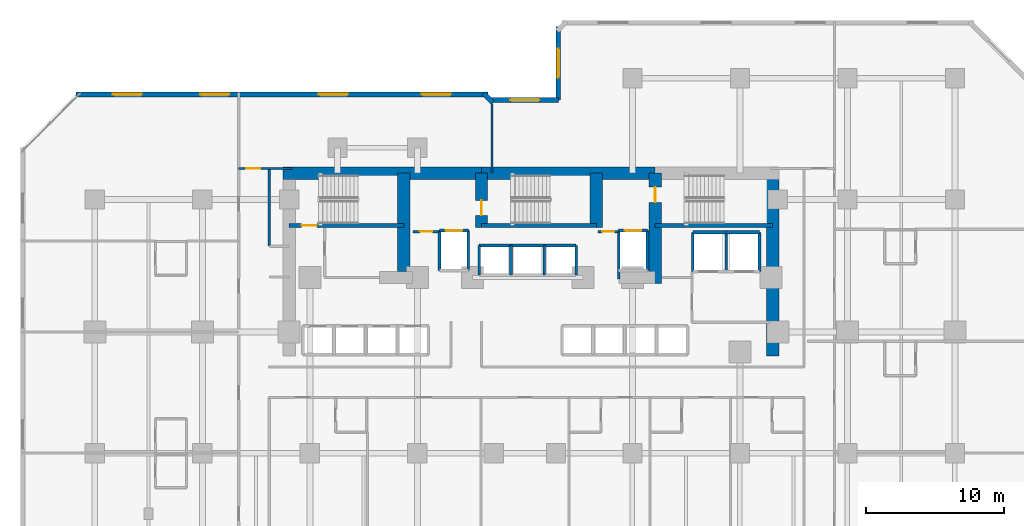
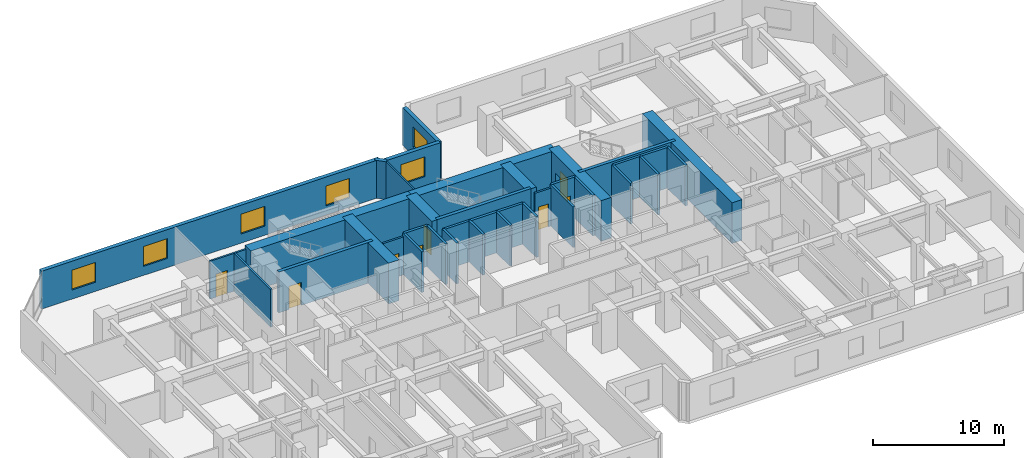
# One storey, part 8 of 12: 37 walls, 8 doors, 6 windows, 14 openings.
"""IFC4 building model written with IfcOpenShell, lengths in metres."""

from ifc_helpers import new_model, si_unit, direction, frame, frame_2d, origin, place, context, subcontext, project, spatial, rectangle, extrude, material, layer, layer_set, type_object, element, fill, save


model = new_model("IFC4")

# Units and contexts
model_context = context("Model", 3, precision=1e-05, world=origin(), true_north=direction((0.0, 1.0)))
body_context = subcontext(model_context, "Body", "Model", "MODEL_VIEW")
ifc_project = project(units=[si_unit("LENGTHUNIT", "METRE"), si_unit("AREAUNIT", "SQUARE_METRE"), si_unit("VOLUMEUNIT", "CUBIC_METRE"), si_unit("PLANEANGLEUNIT", "RADIAN"), si_unit("MASSUNIT", "GRAM", prefix="KILO")], contexts=[model_context])

# Site, building, storey
site_placement = place(None, origin())
site = spatial("IfcSite", under=ifc_project, at=site_placement, CompositionType="ELEMENT")
building_placement = place(site_placement, origin())
building = spatial("IfcBuilding", under=site, at=building_placement, Name="Kestravale Grand Hotel", CompositionType="ELEMENT")
storey_placement = place(building_placement, frame((0.0, 0.0, 60.199951171875)))
storey = spatial("IfcBuildingStorey", under=building, at=storey_placement, Name="L14", CompositionType="ELEMENT", Elevation=60.199951171875)

# Walls
ifc_material_1 = material(Name="Concrete f'c 70 MPa", Category="concrete")
ifc_layer_1 = layer(ifc_material_1, 0.89990234375)
ifc_layer_set_1 = layer_set([ifc_layer_1], Name="EW-CORE-900")
wall_type_1 = type_object("IfcWallType", Name="EW-CORE-900", PredefinedType="SHEAR", material=ifc_layer_set_1)
wall_1_placement = place(storey_placement, frame((21.449951171875, 40.320068359375, 0.0), z_axis=(0.0, 0.0, 1.0), x_axis=(1.0, 0.0, 0.0)))
element("IfcWall", 1, at=wall_1_placement, inside=storey, type_object=wall_type_1, Name="L14 core shear wall N1", PredefinedType="SHEAR", context=body_context, shape_type="SweptSolid", body=[
    extrude(rectangle(XDim=14.400146484375, YDim=0.89990234375, at=frame_2d((7.2001953125, 0.0))), origin(), (0.0, 0.0, 1.0), 3.800048828125),
])
wall_2_placement = place(storey_placement, frame((35.85009765625, 40.320068359375, 0.0), z_axis=(0.0, 0.0, 1.0), x_axis=(1.0, 0.0, 0.0)))
element("IfcWall", 2, at=wall_2_placement, inside=storey, type_object=wall_type_1, Name="L14 core shear wall N2", PredefinedType="SHEAR", context=body_context, shape_type="SweptSolid", body=[
    extrude(rectangle(XDim=12.599853515625, YDim=0.89990234375, at=frame_2d((6.2998046875, 0.0))), origin(), (0.0, 0.0, 1.0), 3.800048828125),
])
wall_3_placement = place(storey_placement, frame((56.969970703125, 27.050048828125, 0.0), z_axis=(0.0, 0.0, 1.0), x_axis=(0.0, 1.0, 0.0)))
element("IfcWall", 3, at=wall_3_placement, inside=storey, type_object=wall_type_1, Name="L14 core shear wall E1", PredefinedType="SHEAR", context=body_context, shape_type="SweptSolid", body=[
    extrude(rectangle(XDim=13.719970703125, YDim=0.89990234375, at=frame_2d((6.85986328125, 0.0))), origin(), (0.0, 0.0, 1.0), 3.800048828125),
])
wall_4_placement = place(storey_placement, frame((30.219970703125, 33.199951171875, 0.0), z_axis=(0.0, 0.0, 1.0), x_axis=(0.0, 1.0, 0.0)))
element("IfcWall", 4, at=wall_4_placement, inside=storey, type_object=wall_type_1, Name="L14 core shear wall X1", PredefinedType="SHEAR", context=body_context, shape_type="SweptSolid", body=[
    extrude(rectangle(XDim=7.1201171875, YDim=0.89990234375, at=frame_2d((3.56005859375, 0.0))), origin(), (0.0, 0.0, 1.0), 3.800048828125),
])

# Wall, opening, door
wall_5_placement = place(storey_placement, frame((35.85009765625, 36.3701171875, 0.0), z_axis=(0.0, 0.0, 1.0), x_axis=(0.0, 1.0, 0.0)))
wall_5 = element("IfcWall", 5, at=wall_5_placement, inside=storey, type_object=wall_type_1, Name="L14 core shear wall X2", PredefinedType="SHEAR", context=body_context, shape_type="SweptSolid", body=[
    extrude(rectangle(XDim=3.949951171875, YDim=0.89990234375, at=frame_2d((1.97509765625, 0.0))), origin(), (0.0, 0.0, 1.0), 3.800048828125),
])
opening_1_placement = place(wall_5_placement, frame((0.8798828125, 0.0, 0.0)))
opening_1 = element("IfcOpeningElement", 6, at=opening_1_placement, cuts=wall_5, Name="Opening D-ST-1100", PredefinedType="OPENING", context=body_context, shape_type="SweptSolid", body=[
    extrude(rectangle(XDim=1.10009765625, YDim=2.14990234375, at=frame_2d((0.550048828125, 1.074951171875))), frame((0.0, 0.4599609375, 0.0), z_axis=(0.0, -1.0, 0.0), x_axis=(1.0, 0.0, 0.0)), (0.0, 0.0, 1.0), 0.919921875),
])
ifc_material_2 = material(Name="Galvanised 90-minute fire-rated steel stair door", Category="steel")
door_type_1 = type_object("IfcDoorType", Name="D-ST-1100", OperationType="NOTDEFINED", PredefinedType="DOOR", material=ifc_material_2)
door_1_placement = place(opening_1_placement, origin())
door_1 = element("IfcDoor", 7, at=door_1_placement, inside=storey, type_object=door_type_1, Name="L14 Stair ST-2 FSAE fire door", OperationType="SINGLE_SWING_RIGHT", OverallHeight=2.14990234375, OverallWidth=1.10009765625, PredefinedType="DOOR", context=body_context, shape_type="SweptSolid", body=[
    extrude(rectangle(XDim=1.10009765625, YDim=2.14990234375, at=frame_2d((0.550048828125, 1.074951171875))), frame((0.0, 0.02490234375, 0.0), z_axis=(0.0, -1.0, 0.0), x_axis=(1.0, 0.0, 0.0)), (0.0, 0.0, 1.0), 0.050048828125),
])
fill(opening_1, door_1)

# Wall
wall_6_placement = place(storey_placement, frame((44.179931640625, 36.3701171875, 0.0), z_axis=(0.0, 0.0, 1.0), x_axis=(0.0, 1.0, 0.0)))
element("IfcWall", 8, at=wall_6_placement, inside=storey, type_object=wall_type_1, Name="L14 core shear wall X3", PredefinedType="SHEAR", context=body_context, shape_type="SweptSolid", body=[
    extrude(rectangle(XDim=3.949951171875, YDim=0.89990234375, at=frame_2d((1.97509765625, 0.0))), origin(), (0.0, 0.0, 1.0), 3.800048828125),
])

# Wall, opening, door
wall_7_placement = place(storey_placement, frame((48.449951171875, 32.300048828125, 0.0), z_axis=(0.0, 0.0, 1.0), x_axis=(0.0, 1.0, 0.0)))
wall_7 = element("IfcWall", 9, at=wall_7_placement, inside=storey, type_object=wall_type_1, Name="L14 core shear wall X4", PredefinedType="SHEAR", context=body_context, shape_type="SweptSolid", body=[
    extrude(rectangle(XDim=8.02001953125, YDim=0.89990234375, at=frame_2d((4.010009765625, 0.0))), origin(), (0.0, 0.0, 1.0), 3.800048828125),
])
opening_2_placement = place(wall_7_placement, frame((5.89990234375, 0.0, 0.0)))
opening_2 = element("IfcOpeningElement", 10, at=opening_2_placement, cuts=wall_7, Name="Opening D-ST-1100", PredefinedType="OPENING", context=body_context, shape_type="SweptSolid", body=[
    extrude(rectangle(XDim=1.10009765625, YDim=2.14990234375, at=frame_2d((0.550048828125, 1.074951171875))), frame((0.0, 0.4599609375, 0.0), z_axis=(0.0, -1.0, 0.0), x_axis=(1.0, 0.0, 0.0)), (0.0, 0.0, 1.0), 0.919921875),
])
door_2_placement = place(opening_2_placement, origin())
door_2 = element("IfcDoor", 11, at=door_2_placement, inside=storey, type_object=door_type_1, Name="L14 Stair ST-3 FSAE fire door", OperationType="SINGLE_SWING_RIGHT", OverallHeight=2.14990234375, OverallWidth=1.10009765625, PredefinedType="DOOR", context=body_context, shape_type="SweptSolid", body=[
    extrude(rectangle(XDim=1.10009765625, YDim=2.14990234375, at=frame_2d((0.550048828125, 1.074951171875))), frame((0.0, 0.02490234375, 0.0), z_axis=(0.0, -1.0, 0.0), x_axis=(1.0, 0.0, 0.0)), (0.0, 0.0, 1.0), 0.050048828125),
])
fill(opening_2, door_2)

# Wall, opening, window
ifc_material_3 = material(Name="Precast concrete f'c 45 MPa", Category="concrete")
ifc_layer_2 = layer(ifc_material_3, 0.340087890625)
ifc_layer_set_2 = layer_set([ifc_layer_2], Name="EW-PREC-340")
wall_type_2 = type_object("IfcWallType", Name="EW-PREC-340", PredefinedType="SOLIDWALL", material=ifc_layer_set_2)
wall_8_placement = place(storey_placement, frame((41.419921875, 50.969970703125, 0.0), z_axis=(0.0, 0.0, 1.0), x_axis=(0.0, -1.0, 0.0)))
wall_8 = element("IfcWall", 12, at=wall_8_placement, inside=storey, type_object=wall_type_2, Name="L14 fluted precast facade wall 13", PredefinedType="SOLIDWALL", context=body_context, shape_type="SweptSolid", body=[
    extrude(rectangle(XDim=5.340087890625, YDim=0.340087890625, at=frame_2d((2.669921875, 0.0))), origin(), (0.0, 0.0, 1.0), 3.5400390625),
])
opening_3_placement = place(wall_8_placement, frame((1.6201171875, 0.0, 0.85009765625)))
opening_3 = element("IfcOpeningElement", 13, at=opening_3_placement, cuts=wall_8, Name="Opening W-GUEST-2100", PredefinedType="OPENING", context=body_context, shape_type="SweptSolid", body=[
    extrude(rectangle(XDim=2.10009765625, YDim=1.85009765625, at=frame_2d((1.050048828125, 0.925048828125))), frame((0.0, 0.179931640625, 0.0), z_axis=(0.0, -1.0, 0.0), x_axis=(1.0, 0.0, 0.0)), (0.0, 0.0, 1.0), 0.360107421875),
])
ifc_material_4 = material(Name="Insulated low-E double glazing in aluminium frame", Category="aluminium")
window_type = type_object("IfcWindowType", Name="W-GUEST-2100", PartitioningType="DOUBLE_PANEL_VERTICAL", PredefinedType="WINDOW", material=ifc_material_4)
window_1_placement = place(opening_3_placement, origin())
window_1 = element("IfcWindow", 14, at=window_1_placement, inside=storey, type_object=window_type, Name="L14 exterior window 13.1", OverallHeight=1.85009765625, OverallWidth=2.10009765625, PartitioningType="SINGLE_PANEL", PredefinedType="WINDOW", context=body_context, shape_type="SweptSolid", body=[
    extrude(rectangle(XDim=2.10009765625, YDim=1.85009765625, at=frame_2d((1.050048828125, 0.925048828125))), frame((0.0, 0.030029296875, 0.0), z_axis=(0.0, -1.0, 0.0), x_axis=(1.0, 0.0, 0.0)), (0.0, 0.0, 1.0), 0.06005859375),
])
fill(opening_3, window_1)

wall_9_placement = place(storey_placement, frame((41.419921875, 45.6298828125, 0.0), z_axis=(0.0, 0.0, 1.0), x_axis=(-1.0, 0.0, 0.0)))
wall_9 = element("IfcWall", 15, at=wall_9_placement, inside=storey, type_object=wall_type_2, Name="L14 fluted precast facade wall 14", PredefinedType="SOLIDWALL", context=body_context, shape_type="SweptSolid", body=[
    extrude(rectangle(XDim=4.83984375, YDim=0.340087890625, at=frame_2d((2.419921875, 0.0))), origin(), (0.0, 0.0, 1.0), 3.5400390625),
])
opening_4_placement = place(wall_9_placement, frame((1.3701171875, 0.0, 0.85009765625)))
opening_4 = element("IfcOpeningElement", 16, at=opening_4_placement, cuts=wall_9, Name="Opening W-GUEST-2100", PredefinedType="OPENING", context=body_context, shape_type="SweptSolid", body=[
    extrude(rectangle(XDim=2.10009765625, YDim=1.85009765625, at=frame_2d((1.050048828125, 0.925048828125))), frame((0.0, 0.179931640625, 0.0), z_axis=(0.0, -1.0, 0.0), x_axis=(1.0, 0.0, 0.0)), (0.0, 0.0, 1.0), 0.360107421875),
])
window_2_placement = place(opening_4_placement, origin())
window_2 = element("IfcWindow", 17, at=window_2_placement, inside=storey, type_object=window_type, Name="L14 exterior window 14.1", OverallHeight=1.85009765625, OverallWidth=2.10009765625, PartitioningType="SINGLE_PANEL", PredefinedType="WINDOW", context=body_context, shape_type="SweptSolid", body=[
    extrude(rectangle(XDim=2.10009765625, YDim=1.85009765625, at=frame_2d((1.050048828125, 0.925048828125))), frame((0.0, 0.030029296875, 0.0), z_axis=(0.0, -1.0, 0.0), x_axis=(1.0, 0.0, 0.0)), (0.0, 0.0, 1.0), 0.06005859375),
])
fill(opening_4, window_2)

# Wall
wall_10_placement = place(storey_placement, frame((36.658203125, 45.451416015625, 0.0), z_axis=(0.0, 0.0, 1.0), x_axis=(-0.707106781187, 0.707106781187, 0.0)))
element("IfcWall", 18, at=wall_10_placement, inside=storey, type_object=wall_type_2, Name="L14 fluted precast facade wall 16", PredefinedType="SOLIDWALL", context=body_context, shape_type="SweptSolid", body=[
    extrude(rectangle(XDim=0.9287109375, YDim=0.340087890625, at=frame_2d((0.46435546875, 0.0))), origin(), (0.0, 0.0, 1.0), 3.5400390625),
])

# Wall, openings, windows
wall_11_placement = place(storey_placement, frame((36.320068359375, 46.030029296875, 0.0), z_axis=(0.0, 0.0, 1.0), x_axis=(-1.0, 0.0, 0.0)))
wall_11 = element("IfcWall", 19, at=wall_11_placement, inside=storey, type_object=wall_type_2, Name="L14 fluted precast facade wall 17", PredefinedType="SOLIDWALL", context=body_context, shape_type="SweptSolid", body=[
    extrude(rectangle(XDim=29.89013671875, YDim=0.340087890625, at=frame_2d((14.945068359375, 0.0))), origin(), (0.0, 0.0, 1.0), 3.5400390625),
])
opening_5_placement = place(wall_11_placement, frame((2.686279296875, 0.0, 0.85009765625)))
opening_5 = element("IfcOpeningElement", 20, at=opening_5_placement, cuts=wall_11, Name="Opening W-GUEST-2100", PredefinedType="OPENING", context=body_context, shape_type="SweptSolid", body=[
    extrude(rectangle(XDim=2.10009765625, YDim=1.85009765625, at=frame_2d((1.050048828125, 0.925048828125))), frame((0.0, 0.179931640625, 0.0), z_axis=(0.0, -1.0, 0.0), x_axis=(1.0, 0.0, 0.0)), (0.0, 0.0, 1.0), 0.360107421875),
])
opening_6_placement = place(wall_11_placement, frame((10.15869140625, 0.0, 0.85009765625)))
opening_6 = element("IfcOpeningElement", 21, at=opening_6_placement, cuts=wall_11, Name="Opening W-GUEST-2100", PredefinedType="OPENING", context=body_context, shape_type="SweptSolid", body=[
    extrude(rectangle(XDim=2.10009765625, YDim=1.85009765625, at=frame_2d((1.050048828125, 0.925048828125))), frame((0.0, 0.179931640625, 0.0), z_axis=(0.0, -1.0, 0.0), x_axis=(1.0, 0.0, 0.0)), (0.0, 0.0, 1.0), 0.360107421875),
])
opening_7_placement = place(wall_11_placement, frame((18.78125, 0.0, 0.85009765625)))
opening_7 = element("IfcOpeningElement", 22, at=opening_7_placement, cuts=wall_11, Name="Opening W-GUEST-2100", PredefinedType="OPENING", context=body_context, shape_type="SweptSolid", body=[
    extrude(rectangle(XDim=2.10009765625, YDim=1.85009765625, at=frame_2d((1.050048828125, 0.925048828125))), frame((0.0, 0.179931640625, 0.0), z_axis=(0.0, -1.0, 0.0), x_axis=(1.0, 0.0, 0.0)), (0.0, 0.0, 1.0), 0.360107421875),
])
opening_8_placement = place(wall_11_placement, frame((25.103759765625, 0.0, 0.85009765625)))
opening_8 = element("IfcOpeningElement", 23, at=opening_8_placement, cuts=wall_11, Name="Opening W-GUEST-2100", PredefinedType="OPENING", context=body_context, shape_type="SweptSolid", body=[
    extrude(rectangle(XDim=2.10009765625, YDim=1.85009765625, at=frame_2d((1.050048828125, 0.925048828125))), frame((0.0, 0.179931640625, 0.0), z_axis=(0.0, -1.0, 0.0), x_axis=(1.0, 0.0, 0.0)), (0.0, 0.0, 1.0), 0.360107421875),
])
window_3_placement = place(opening_5_placement, origin())
window_3 = element("IfcWindow", 24, at=window_3_placement, inside=storey, type_object=window_type, Name="L14 exterior window 17.1", OverallHeight=1.85009765625, OverallWidth=2.10009765625, PartitioningType="SINGLE_PANEL", PredefinedType="WINDOW", context=body_context, shape_type="SweptSolid", body=[
    extrude(rectangle(XDim=2.10009765625, YDim=1.85009765625, at=frame_2d((1.050048828125, 0.925048828125))), frame((0.0, 0.030029296875, 0.0), z_axis=(0.0, -1.0, 0.0), x_axis=(1.0, 0.0, 0.0)), (0.0, 0.0, 1.0), 0.06005859375),
])
fill(opening_5, window_3)
window_4_placement = place(opening_6_placement, origin())
window_4 = element("IfcWindow", 25, at=window_4_placement, inside=storey, type_object=window_type, Name="L14 exterior window 17.2", OverallHeight=1.85009765625, OverallWidth=2.10009765625, PartitioningType="SINGLE_PANEL", PredefinedType="WINDOW", context=body_context, shape_type="SweptSolid", body=[
    extrude(rectangle(XDim=2.10009765625, YDim=1.85009765625, at=frame_2d((1.050048828125, 0.925048828125))), frame((0.0, 0.030029296875, 0.0), z_axis=(0.0, -1.0, 0.0), x_axis=(1.0, 0.0, 0.0)), (0.0, 0.0, 1.0), 0.06005859375),
])
fill(opening_6, window_4)
window_5_placement = place(opening_7_placement, origin())
window_5 = element("IfcWindow", 26, at=window_5_placement, inside=storey, type_object=window_type, Name="L14 exterior window 17.3", OverallHeight=1.85009765625, OverallWidth=2.10009765625, PartitioningType="SINGLE_PANEL", PredefinedType="WINDOW", context=body_context, shape_type="SweptSolid", body=[
    extrude(rectangle(XDim=2.10009765625, YDim=1.85009765625, at=frame_2d((1.050048828125, 0.925048828125))), frame((0.0, 0.030029296875, 0.0), z_axis=(0.0, -1.0, 0.0), x_axis=(1.0, 0.0, 0.0)), (0.0, 0.0, 1.0), 0.06005859375),
])
fill(opening_7, window_5)
window_6_placement = place(opening_8_placement, origin())
window_6 = element("IfcWindow", 27, at=window_6_placement, inside=storey, type_object=window_type, Name="L14 exterior window 17.4", OverallHeight=1.85009765625, OverallWidth=2.10009765625, PartitioningType="SINGLE_PANEL", PredefinedType="WINDOW", context=body_context, shape_type="SweptSolid", body=[
    extrude(rectangle(XDim=2.10009765625, YDim=1.85009765625, at=frame_2d((1.050048828125, 0.925048828125))), frame((0.0, 0.030029296875, 0.0), z_axis=(0.0, -1.0, 0.0), x_axis=(1.0, 0.0, 0.0)), (0.0, 0.0, 1.0), 0.06005859375),
])
fill(opening_8, window_6)

# Wall, opening, door
ifc_material_5 = material(Name="Concrete f'c 45 MPa", Category="concrete")
ifc_layer_3 = layer(ifc_material_5, 0.300048828125)
ifc_layer_set_3 = layer_set([ifc_layer_3], Name="EW-STAIR-300")
wall_type_3 = type_object("IfcWallType", Name="EW-STAIR-300", PredefinedType="SHEAR", material=ifc_layer_set_3)
wall_12_placement = place(storey_placement, frame((21.89990234375, 36.52001953125, 0.0), z_axis=(0.0, 0.0, 1.0), x_axis=(1.0, 0.0, 0.0)))
wall_12 = element("IfcWall", 28, at=wall_12_placement, inside=storey, type_object=wall_type_3, Name="L14 stair enclosure shear wall SST1", PredefinedType="SHEAR", context=body_context, shape_type="SweptSolid", body=[
    extrude(rectangle(XDim=8.320068359375, YDim=0.300048828125, at=frame_2d((4.16015625, 0.0))), origin(), (0.0, 0.0, 1.0), 3.800048828125),
])
opening_9_placement = place(wall_12_placement, frame((0.89990234375, 0.0, 0.0)))
opening_9 = element("IfcOpeningElement", 29, at=opening_9_placement, cuts=wall_12, Name="Opening D-ST-1100", PredefinedType="OPENING", context=body_context, shape_type="SweptSolid", body=[
    extrude(rectangle(XDim=1.10009765625, YDim=2.14990234375, at=frame_2d((0.550048828125, 1.074951171875))), frame((0.0, 0.159912109375, 0.0), z_axis=(0.0, -1.0, 0.0), x_axis=(1.0, 0.0, 0.0)), (0.0, 0.0, 1.0), 0.320068359375),
])
door_3_placement = place(opening_9_placement, origin())
door_3 = element("IfcDoor", 30, at=door_3_placement, inside=storey, type_object=door_type_1, Name="L14 Stair ST-1 fire door", OperationType="SINGLE_SWING_RIGHT", OverallHeight=2.14990234375, OverallWidth=1.10009765625, PredefinedType="DOOR", context=body_context, shape_type="SweptSolid", body=[
    extrude(rectangle(XDim=1.10009765625, YDim=2.14990234375, at=frame_2d((0.550048828125, 1.074951171875))), frame((0.0, 0.02490234375, 0.0), z_axis=(0.0, -1.0, 0.0), x_axis=(1.0, 0.0, 0.0)), (0.0, 0.0, 1.0), 0.050048828125),
])
fill(opening_9, door_3)

# Walls
wall_13_placement = place(storey_placement, frame((35.85009765625, 36.52001953125, 0.0), z_axis=(0.0, 0.0, 1.0), x_axis=(1.0, 0.0, 0.0)))
element("IfcWall", 31, at=wall_13_placement, inside=storey, type_object=wall_type_3, Name="L14 stair enclosure shear wall SST2", PredefinedType="SHEAR", context=body_context, shape_type="SweptSolid", body=[
    extrude(rectangle(XDim=8.329833984375, YDim=0.300048828125, at=frame_2d((4.1650390625, 0.0))), origin(), (0.0, 0.0, 1.0), 3.800048828125),
])
wall_14_placement = place(storey_placement, frame((48.449951171875, 36.52001953125, 0.0), z_axis=(0.0, 0.0, 1.0), x_axis=(1.0, 0.0, 0.0)))
element("IfcWall", 32, at=wall_14_placement, inside=storey, type_object=wall_type_3, Name="L14 stair enclosure shear wall SST3", PredefinedType="SHEAR", context=body_context, shape_type="SweptSolid", body=[
    extrude(rectangle(XDim=8.52001953125, YDim=0.300048828125, at=frame_2d((4.260009765625, 0.0))), origin(), (0.0, 0.0, 1.0), 3.800048828125),
])
ifc_material_6 = material(Name="Acoustic fire-rated gypsum board partition", Category="other")
ifc_layer_4 = layer(ifc_material_6, 0.159912109375)
ifc_layer_set_4 = layer_set([ifc_layer_4], Name="IW-CORR-160")
wall_type_4 = type_object("IfcWallType", Name="IW-CORR-160", PredefinedType="PARTITIONING", material=ifc_layer_set_4)
wall_15_placement = place(storey_placement, frame((20.4599609375, 35.02001953125, 0.0), z_axis=(0.0, 0.0, 1.0), x_axis=(0.0, 1.0, 0.0)))
element("IfcWall", 33, at=wall_15_placement, inside=storey, type_object=wall_type_4, Name="W-L14-SW-EN", PredefinedType="PARTITIONING", context=body_context, shape_type="SweptSolid", body=[
    extrude(rectangle(XDim=5.6298828125, YDim=0.159912109375, at=frame_2d((2.81494140625, 0.0))), origin(), (0.0, 0.0, 1.0), 3.5400390625),
])

# Wall, opening, door
ifc_material_7 = material(Name="Fire-rated gypsum board on steel studs with mineral wool", Category="steel")
ifc_layer_5 = layer(ifc_material_7, 0.179931640625)
ifc_layer_set_5 = layer_set([ifc_layer_5], Name="IW-FSAE-180")
wall_type_5 = type_object("IfcWallType", Name="IW-FSAE-180", PredefinedType="PARTITIONING", material=ifc_layer_set_5)
wall_16_placement = place(storey_placement, frame((30.89990234375, 36.080078125, 0.0), z_axis=(0.0, 0.0, 1.0), x_axis=(1.0, 0.0, 0.0)))
wall_16 = element("IfcWall", 34, at=wall_16_placement, inside=storey, type_object=wall_type_5, Name="L14 FSAE Lobby 1 smoke barrier", PredefinedType="PARTITIONING", context=body_context, shape_type="SweptSolid", body=[
    extrude(rectangle(XDim=1.85009765625, YDim=0.179931640625, at=frame_2d((0.925048828125, 0.0))), origin(), (0.0, 0.0, 1.0), 3.5400390625),
])
opening_10_placement = place(wall_16_placement, frame((0.47998046875, 0.0, 0.0)))
opening_10 = element("IfcOpeningElement", 35, at=opening_10_placement, cuts=wall_16, Name="Opening D-FSAE-1000", PredefinedType="OPENING", context=body_context, shape_type="SweptSolid", body=[
    extrude(rectangle(XDim=0.89990234375, YDim=2.14990234375, at=frame_2d((0.449951171875, 1.074951171875))), frame((0.0, 0.099853515625, 0.0), z_axis=(0.0, -1.0, 0.0), x_axis=(1.0, 0.0, 0.0)), (0.0, 0.0, 1.0), 0.199951171875),
])
ifc_material_8 = material(Name="Smoke-gasketed FSAE lobby fire door", Category="steel")
door_type_2 = type_object("IfcDoorType", Name="D-FSAE-1000", OperationType="NOTDEFINED", PredefinedType="DOOR", material=ifc_material_8)
door_4_placement = place(opening_10_placement, origin())
door_4 = element("IfcDoor", 36, at=door_4_placement, inside=storey, type_object=door_type_2, Name="L14 FSAE Lobby 1 fire door", OperationType="SINGLE_SWING_RIGHT", OverallHeight=2.14990234375, OverallWidth=0.89990234375, PredefinedType="DOOR", context=body_context, shape_type="SweptSolid", body=[
    extrude(rectangle(XDim=0.89990234375, YDim=2.14990234375, at=frame_2d((0.449951171875, 1.074951171875))), frame((0.0, 0.02490234375, 0.0), z_axis=(0.0, -1.0, 0.0), x_axis=(1.0, 0.0, 0.0)), (0.0, 0.0, 1.0), 0.050048828125),
])
fill(opening_10, door_4)

wall_17_placement = place(storey_placement, frame((44.300048828125, 36.080078125, 0.0), z_axis=(0.0, 0.0, 1.0), x_axis=(1.0, 0.0, 0.0)))
wall_17 = element("IfcWall", 37, at=wall_17_placement, inside=storey, type_object=wall_type_5, Name="L14 FSAE Lobby 2 smoke barrier", PredefinedType="PARTITIONING", context=body_context, shape_type="SweptSolid", body=[
    extrude(rectangle(XDim=1.5, YDim=0.179931640625, at=frame_2d((0.75, 0.0))), origin(), (0.0, 0.0, 1.0), 3.5400390625),
])
opening_11_placement = place(wall_17_placement, frame((0.300048828125, 0.0, 0.0)))
opening_11 = element("IfcOpeningElement", 38, at=opening_11_placement, cuts=wall_17, Name="Opening D-FSAE-1000", PredefinedType="OPENING", context=body_context, shape_type="SweptSolid", body=[
    extrude(rectangle(XDim=0.89990234375, YDim=2.14990234375, at=frame_2d((0.449951171875, 1.074951171875))), frame((0.0, 0.099853515625, 0.0), z_axis=(0.0, -1.0, 0.0), x_axis=(1.0, 0.0, 0.0)), (0.0, 0.0, 1.0), 0.199951171875),
])
door_5_placement = place(opening_11_placement, origin())
door_5 = element("IfcDoor", 39, at=door_5_placement, inside=storey, type_object=door_type_2, Name="L14 FSAE Lobby 2 fire door", OperationType="SINGLE_SWING_LEFT", OverallHeight=2.14990234375, OverallWidth=0.89990234375, PredefinedType="DOOR", context=body_context, shape_type="SweptSolid", body=[
    extrude(rectangle(XDim=0.89990234375, YDim=2.14990234375, at=frame_2d((0.449951171875, 1.074951171875))), frame((0.0, 0.02490234375, 0.0), z_axis=(0.0, -1.0, 0.0), x_axis=(1.0, 0.0, 0.0)), (0.0, 0.0, 1.0), 0.050048828125),
])
fill(opening_11, door_5)

# Walls
ifc_material_9 = material(Name="Concrete f'c 45 MPa", Category="concrete")
ifc_layer_6 = layer(ifc_material_9, 0.199951171875)
ifc_layer_set_6 = layer_set([ifc_layer_6], Name="IW-SHAFT-200")
wall_type_6 = type_object("IfcWallType", Name="IW-SHAFT-200", PredefinedType="SHEAR", material=ifc_layer_set_6)
for number, where, z_axis, x_axis, name in (
    (40, (35.679931640625, 32.919921875, 0.0), (0.0, 0.0, 1.0), (0.0, 1.0, 0.0), "L14 PL-X1 west shaft wall"),
    (41, (38.0, 32.919921875, 0.0), (0.0, 0.0, 1.0), (0.0, 1.0, 0.0), "L14 PL-X2 west shaft wall"),
    (42, (40.39990234375, 32.919921875, 0.0), (0.0, 0.0, 1.0), (0.0, 1.0, 0.0), "L14 PL-X3 west shaft wall"),
    (43, (42.719970703125, 32.919921875, 0.0), (0.0, 0.0, 1.0), (0.0, 1.0, 0.0), "L14 PL-X3 east shaft wall"),
):
    element("IfcWall", number, at=place(storey_placement, frame(where, z_axis=z_axis, x_axis=x_axis)), inside=storey, type_object=wall_type_6, Name=name, PredefinedType="SHEAR", context=body_context, shape_type="SweptSolid", body=[
        extrude(rectangle(XDim=2.16015625, YDim=0.199951171875, at=frame_2d((1.080078125, 0.0))), origin(), (0.0, 0.0, 1.0), 3.800048828125),
    ])
for number, where, z_axis, x_axis, name in (
    (44, (51.179931640625, 33.169921875, 0.0), (0.0, 0.0, 1.0), (0.0, 1.0, 0.0), "L14 SL-1 west shaft wall"),
    (45, (53.60009765625, 33.169921875, 0.0), (0.0, 0.0, 1.0), (0.0, 1.0, 0.0), "L14 SL-2 west shaft wall"),
    (46, (56.02001953125, 33.169921875, 0.0), (0.0, 0.0, 1.0), (0.0, 1.0, 0.0), "L14 SL-2 east shaft wall"),
):
    element("IfcWall", number, at=place(storey_placement, frame(where, z_axis=z_axis, x_axis=x_axis)), inside=storey, type_object=wall_type_6, Name=name, PredefinedType="SHEAR", context=body_context, shape_type="SweptSolid", body=[
        extrude(rectangle(XDim=2.860107421875, YDim=0.199951171875, at=frame_2d((1.43017578125, 0.0))), origin(), (0.0, 0.0, 1.0), 3.800048828125),
    ])
for number, where, z_axis, x_axis, name in (
    (47, (32.804931640625, 33.2451171875, 0.0), (0.0, 0.0, 1.0), (0.0, 1.0, 0.0), "L14 FL-1 west shaft wall"),
    (48, (34.89501953125, 33.2451171875, 0.0), (0.0, 0.0, 1.0), (0.0, 1.0, 0.0), "L14 FL-1 east shaft wall"),
):
    element("IfcWall", number, at=place(storey_placement, frame(where, z_axis=z_axis, x_axis=x_axis)), inside=storey, type_object=wall_type_6, Name=name, PredefinedType="SHEAR", context=body_context, shape_type="SweptSolid", body=[
        extrude(rectangle(XDim=2.909912109375, YDim=0.199951171875, at=frame_2d((1.455078125, 0.0))), origin(), (0.0, 0.0, 1.0), 3.800048828125),
    ])
wall_18_placement = place(storey_placement, frame((45.804931640625, 32.64990234375, 0.0), z_axis=(0.0, 0.0, 1.0), x_axis=(0.0, 1.0, 0.0)))
element("IfcWall", 49, at=wall_18_placement, inside=storey, type_object=wall_type_6, Name="L14 FL-2 west shaft wall", PredefinedType="SHEAR", context=body_context, shape_type="SweptSolid", body=[
    extrude(rectangle(XDim=3.505126953125, YDim=0.199951171875, at=frame_2d((1.75244140625, 0.0))), origin(), (0.0, 0.0, 1.0), 3.800048828125),
])
wall_19_placement = place(storey_placement, frame((47.89501953125, 33.2451171875, 0.0), z_axis=(0.0, 0.0, 1.0), x_axis=(0.0, 1.0, 0.0)))
element("IfcWall", 50, at=wall_19_placement, inside=storey, type_object=wall_type_6, Name="L14 FL-2 east shaft wall", PredefinedType="SHEAR", context=body_context, shape_type="SweptSolid", body=[
    extrude(rectangle(XDim=2.909912109375, YDim=0.199951171875, at=frame_2d((1.455078125, 0.0))), origin(), (0.0, 0.0, 1.0), 3.800048828125),
])
ifc_material_10 = material(Name="Concrete f'c 45 MPa", Category="concrete")
ifc_layer_7 = layer(ifc_material_10, 0.219970703125)
ifc_layer_set_7 = layer_set([ifc_layer_7], Name="IW-SHAFT-220")
wall_type_7 = type_object("IfcWallType", Name="IW-SHAFT-220", PredefinedType="SHEAR", material=ifc_layer_set_7)
wall_20_placement = place(storey_placement, frame((35.679931640625, 35.080078125, 0.0), z_axis=(0.0, 0.0, 1.0), x_axis=(1.0, 0.0, 0.0)))
element("IfcWall", 51, at=wall_20_placement, inside=storey, type_object=wall_type_7, Name="L14 PL-X1 north shaft wall", PredefinedType="SHEAR", context=body_context, shape_type="SweptSolid", body=[
    extrude(rectangle(XDim=2.320068359375, YDim=0.219970703125, at=frame_2d((1.16015625, 0.0))), origin(), (0.0, 0.0, 1.0), 3.800048828125),
])
wall_21_placement = place(storey_placement, frame((38.0, 35.080078125, 0.0), z_axis=(0.0, 0.0, 1.0), x_axis=(1.0, 0.0, 0.0)))
element("IfcWall", 52, at=wall_21_placement, inside=storey, type_object=wall_type_7, Name="L14 PL-X2 north shaft wall", PredefinedType="SHEAR", context=body_context, shape_type="SweptSolid", body=[
    extrude(rectangle(XDim=2.39990234375, YDim=0.219970703125, at=frame_2d((1.199951171875, 0.0))), origin(), (0.0, 0.0, 1.0), 3.800048828125),
])
wall_22_placement = place(storey_placement, frame((40.39990234375, 35.080078125, 0.0), z_axis=(0.0, 0.0, 1.0), x_axis=(1.0, 0.0, 0.0)))
element("IfcWall", 53, at=wall_22_placement, inside=storey, type_object=wall_type_7, Name="L14 PL-X3 north shaft wall", PredefinedType="SHEAR", context=body_context, shape_type="SweptSolid", body=[
    extrude(rectangle(XDim=2.320068359375, YDim=0.219970703125, at=frame_2d((1.16015625, 0.0))), origin(), (0.0, 0.0, 1.0), 3.800048828125),
])
wall_23_placement = place(storey_placement, frame((51.179931640625, 36.030029296875, 0.0), z_axis=(0.0, 0.0, 1.0), x_axis=(1.0, 0.0, 0.0)))
element("IfcWall", 54, at=wall_23_placement, inside=storey, type_object=wall_type_7, Name="L14 SL-1 north shaft wall", PredefinedType="SHEAR", context=body_context, shape_type="SweptSolid", body=[
    extrude(rectangle(XDim=2.420166015625, YDim=0.219970703125, at=frame_2d((1.2099609375, 0.0))), origin(), (0.0, 0.0, 1.0), 3.800048828125),
])
wall_24_placement = place(storey_placement, frame((53.60009765625, 36.030029296875, 0.0), z_axis=(0.0, 0.0, 1.0), x_axis=(1.0, 0.0, 0.0)))
element("IfcWall", 55, at=wall_24_placement, inside=storey, type_object=wall_type_7, Name="L14 SL-2 north shaft wall", PredefinedType="SHEAR", context=body_context, shape_type="SweptSolid", body=[
    extrude(rectangle(XDim=2.419921875, YDim=0.219970703125, at=frame_2d((1.2099609375, 0.0))), origin(), (0.0, 0.0, 1.0), 3.800048828125),
])

# Wall, opening, door
wall_25_placement = place(storey_placement, frame((32.804931640625, 36.155029296875, 0.0), z_axis=(0.0, 0.0, 1.0), x_axis=(1.0, 0.0, 0.0)))
wall_25 = element("IfcWall", 56, at=wall_25_placement, inside=storey, type_object=wall_type_7, Name="L14 FL-1 north shaft wall", PredefinedType="SHEAR", context=body_context, shape_type="SweptSolid", body=[
    extrude(rectangle(XDim=2.090087890625, YDim=0.219970703125, at=frame_2d((1.044921875, 0.0))), origin(), (0.0, 0.0, 1.0), 3.800048828125),
])
opening_12_placement = place(wall_25_placement, frame((0.445068359375, 0.0, 0.0)))
opening_12 = element("IfcOpeningElement", 57, at=opening_12_placement, cuts=wall_25, Name="Opening LD-FSAE-1200", PredefinedType="OPENING", context=body_context, shape_type="SweptSolid", body=[
    extrude(rectangle(XDim=1.199951171875, YDim=2.14990234375, at=frame_2d((0.60009765625, 1.074951171875))), frame((0.0, 0.119873046875, 0.0), z_axis=(0.0, -1.0, 0.0), x_axis=(1.0, 0.0, 0.0)), (0.0, 0.0, 1.0), 0.239990234375),
])
ifc_material_11 = material(Name="Stainless fire-service sliding elevator landing door", Category="steel")
door_type_3 = type_object("IfcDoorType", Name="LD-FSAE-1200", OperationType="NOTDEFINED", PredefinedType="DOOR", material=ifc_material_11)
door_6_placement = place(opening_12_placement, origin())
door_6 = element("IfcDoor", 58, at=door_6_placement, inside=storey, type_object=door_type_3, Name="L14 FL-1 elevator landing sliding door", OperationType="DOUBLE_DOOR_SLIDING", OverallHeight=2.14990234375, OverallWidth=1.199951171875, PredefinedType="DOOR", context=body_context, shape_type="SweptSolid", body=[
    extrude(rectangle(XDim=1.199951171875, YDim=2.14990234375, at=frame_2d((0.60009765625, 1.074951171875))), frame((0.0, 0.02490234375, 0.0), z_axis=(0.0, -1.0, 0.0), x_axis=(1.0, 0.0, 0.0)), (0.0, 0.0, 1.0), 0.050048828125),
])
fill(opening_12, door_6)

wall_26_placement = place(storey_placement, frame((45.804931640625, 36.155029296875, 0.0), z_axis=(0.0, 0.0, 1.0), x_axis=(1.0, 0.0, 0.0)))
wall_26 = element("IfcWall", 59, at=wall_26_placement, inside=storey, type_object=wall_type_7, Name="L14 FL-2 north shaft wall", PredefinedType="SHEAR", context=body_context, shape_type="SweptSolid", body=[
    extrude(rectangle(XDim=2.090087890625, YDim=0.219970703125, at=frame_2d((1.044921875, 0.0))), origin(), (0.0, 0.0, 1.0), 3.800048828125),
])
opening_13_placement = place(wall_26_placement, frame((0.445068359375, 0.0, 0.0)))
opening_13 = element("IfcOpeningElement", 60, at=opening_13_placement, cuts=wall_26, Name="Opening LD-FSAE-1200", PredefinedType="OPENING", context=body_context, shape_type="SweptSolid", body=[
    extrude(rectangle(XDim=1.199951171875, YDim=2.14990234375, at=frame_2d((0.60009765625, 1.074951171875))), frame((0.0, 0.119873046875, 0.0), z_axis=(0.0, -1.0, 0.0), x_axis=(1.0, 0.0, 0.0)), (0.0, 0.0, 1.0), 0.239990234375),
])
door_7_placement = place(opening_13_placement, origin())
door_7 = element("IfcDoor", 61, at=door_7_placement, inside=storey, type_object=door_type_3, Name="L14 FL-2 elevator landing sliding door", OperationType="DOUBLE_DOOR_SLIDING", OverallHeight=2.14990234375, OverallWidth=1.199951171875, PredefinedType="DOOR", context=body_context, shape_type="SweptSolid", body=[
    extrude(rectangle(XDim=1.199951171875, YDim=2.14990234375, at=frame_2d((0.60009765625, 1.074951171875))), frame((0.0, 0.02490234375, 0.0), z_axis=(0.0, -1.0, 0.0), x_axis=(1.0, 0.0, 0.0)), (0.0, 0.0, 1.0), 0.050048828125),
])
fill(opening_13, door_7)

ifc_material_12 = material(Name="Double-stud STC 52 acoustic demising partition", Category="other")
ifc_layer_8 = layer(ifc_material_12, 0.14990234375)
ifc_layer_set_8 = layer_set([ifc_layer_8], Name="IW-UNIT-150")
wall_type_8 = type_object("IfcWallType", Name="IW-UNIT-150", PredefinedType="PARTITIONING", material=ifc_layer_set_8)
wall_27_placement = place(storey_placement, frame((18.239990234375, 40.64990234375, 0.0), z_axis=(0.0, 0.0, 1.0), x_axis=(1.0, 0.0, 0.0)))
wall_27 = element("IfcWall", 62, at=wall_27_placement, inside=storey, type_object=wall_type_8, Name="W-L14-SW-N", PredefinedType="PARTITIONING", context=body_context, shape_type="SweptSolid", body=[
    extrude(rectangle(XDim=3.860107421875, YDim=0.14990234375, at=frame_2d((1.93017578125, 0.0))), origin(), (0.0, 0.0, 1.0), 3.5400390625),
])
opening_14_placement = place(wall_27_placement, frame((0.550048828125, 0.0, 0.0)))
opening_14 = element("IfcOpeningElement", 63, at=opening_14_placement, cuts=wall_27, Name="Opening D-GUEST-1000", PredefinedType="OPENING", context=body_context, shape_type="SweptSolid", body=[
    extrude(rectangle(XDim=1.0, YDim=2.14990234375, at=frame_2d((0.5, 1.074951171875))), frame((0.0, 0.0849609375, 0.0), z_axis=(0.0, -1.0, 0.0), x_axis=(1.0, 0.0, 0.0)), (0.0, 0.0, 1.0), 0.169921875),
])
ifc_material_13 = material(Name="Accessible walnut veneer hotel entrance fire door", Category="wood")
door_type_4 = type_object("IfcDoorType", Name="D-GUEST-1000", OperationType="NOTDEFINED", PredefinedType="DOOR", material=ifc_material_13)
door_8_placement = place(opening_14_placement, origin())
door_8 = element("IfcDoor", 64, at=door_8_placement, inside=storey, type_object=door_type_4, Name="L14 NW Gallery Door", OperationType="SINGLE_SWING_RIGHT", OverallHeight=2.14990234375, OverallWidth=1.0, PredefinedType="DOOR", context=body_context, shape_type="SweptSolid", body=[
    extrude(rectangle(XDim=1.0, YDim=2.14990234375, at=frame_2d((0.5, 1.074951171875))), frame((0.0, 0.02490234375, 0.0), z_axis=(0.0, -1.0, 0.0), x_axis=(1.0, 0.0, 0.0)), (0.0, 0.0, 1.0), 0.050048828125),
])
fill(opening_14, door_8)

# Wall
wall_28_placement = place(storey_placement, frame((36.60009765625, 40.320068359375, 0.0), z_axis=(0.0, 0.0, 1.0), x_axis=(0.0, 1.0, 0.0)))
element("IfcWall", 65, at=wall_28_placement, inside=storey, type_object=wall_type_8, Name="W-L14-NGM", PredefinedType="PARTITIONING", context=body_context, shape_type="SweptSolid", body=[
    extrude(rectangle(XDim=5.044921875, YDim=0.14990234375, at=frame_2d((2.5224609375, 0.0))), origin(), (0.0, 0.0, 1.0), 3.5400390625),
])

save(model, "model.ifc")
